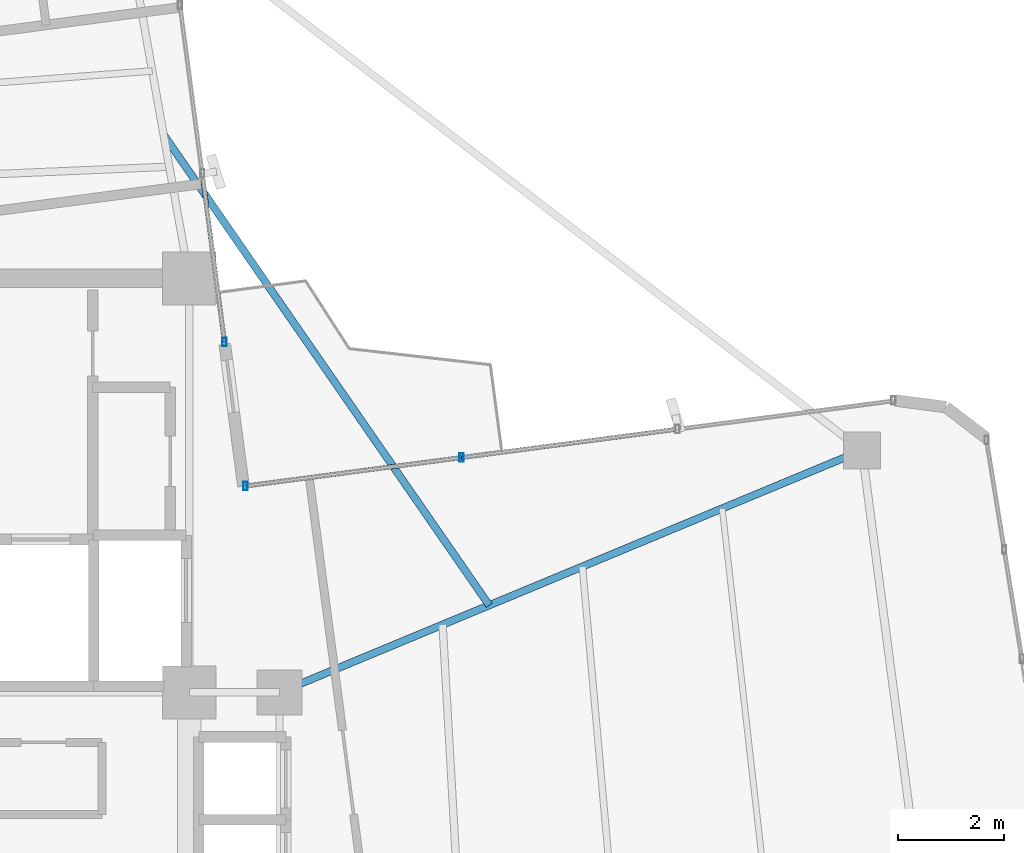
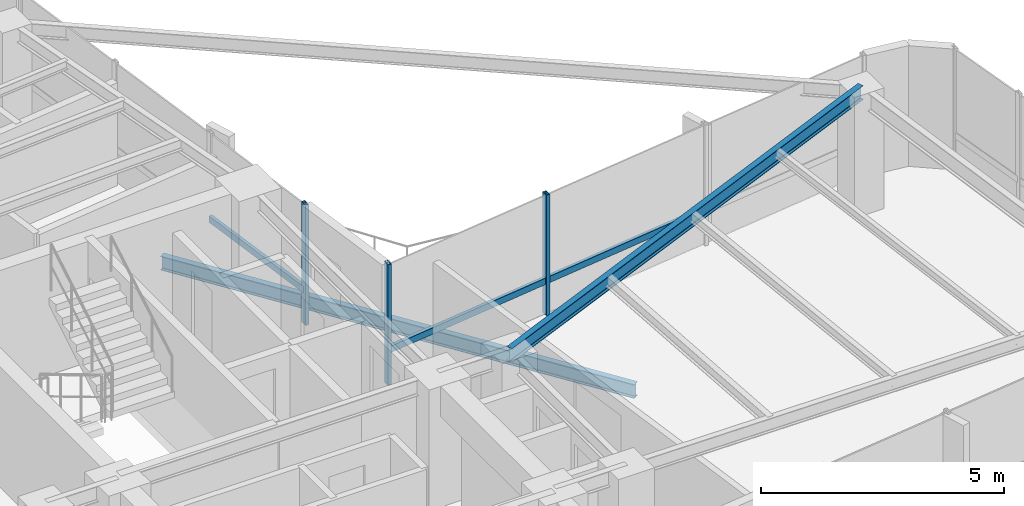
# One storey, part 11 of 22: 6 members, 2 beams, 2 elements without a shape of their own.
"""IFC4 building model written with IfcOpenShell, lengths in metres."""

from ifc_helpers import new_model, si_unit, direction, frame, origin, origin_2d, place, context, subcontext, project, spatial, hollow_rectangle, i_section, extrude, source, transform, mapped, material, material_profile, profile_set, type_object, element, aggregate, save


model = new_model("IFC4")

# Units and contexts
model_context = context("Model", 3, precision=1e-05, world=origin(), true_north=direction((0.0, 1.0)))
body_context = subcontext(model_context, "Body", "Model", "MODEL_VIEW")
ifc_project = project(units=[si_unit("LENGTHUNIT", "METRE"), si_unit("AREAUNIT", "SQUARE_METRE"), si_unit("VOLUMEUNIT", "CUBIC_METRE"), si_unit("PLANEANGLEUNIT", "RADIAN"), si_unit("MASSUNIT", "GRAM", prefix="KILO")], contexts=[model_context])

# Site, building, storey
site_placement = place(None, origin())
site = spatial("IfcSite", under=ifc_project, at=site_placement, CompositionType="ELEMENT")
building_placement = place(site_placement, origin())
building = spatial("IfcBuilding", under=site, at=building_placement, Name="Sahyath Konkavel Grand Hotel", CompositionType="ELEMENT")
storey_placement = place(building_placement, frame((0.0, 0.0, 261.25)))
storey = spatial("IfcBuildingStorey", under=building, at=storey_placement, Name="L73", CompositionType="ELEMENT", Elevation=261.25)

# Beam
ifc_material_1 = material(Name="Steel E350", Category="steel")
ifc_material_profile_1 = material_profile(ifc_material_1, i_section(OverallWidth=0.139892578125, OverallDepth=0.35009765625, WebThickness=0.008056640625, FlangeThickness=0.01416015625, FilletRadius=0.013916015625, at=origin_2d()), Name="ISMB 350")
ifc_profile_set_1 = profile_set([ifc_material_profile_1], Name="Steel E350")
beam_type_1 = type_object("IfcBeamType", Name="BM-ISMB350", PredefinedType="BEAM", material=ifc_profile_set_1)
shared_shape_1 = source(origin(), body_context, "Body", "SweptSolid", [
    extrude(i_section(OverallWidth=0.139892578125, OverallDepth=0.35009765625, WebThickness=0.008056640625, FlangeThickness=0.01416015625, FilletRadius=0.013916015625, at=origin_2d()), origin(), (0.0, 0.0, 1.0), 11.882080078125),
])
beam_1_placement = place(storey_placement, frame((5.5, 2.39990234375, 2.85498046875), z_axis=(0.923435785797, 0.383752979804, 0.0), x_axis=(-0.383752979804, 0.923435785797, 0.0)))
element("IfcBeam", 1, at=beam_1_placement, inside=storey, type_object=beam_type_1, Name="L73 Cruciform Radial Girder EB", PredefinedType="BEAM", context=body_context, shape_type="MappedRepresentation", body=[
    mapped(shared_shape_1, transform((0.0, 0.0, 0.0), scale=1.0)),
])

# Curtain wall, members
ifc_material_2 = material(Name="Anodised Bronze Aluminium & Low-E Glazing", Category="aluminium")
curtain_wall_type = type_object("IfcCurtainWallType", Name="CW-ZONE4", PredefinedType="NOTDEFINED", material=ifc_material_2)
curtain_wall_1_placement = place(storey_placement, origin())
curtain_wall_1 = element("IfcCurtainWall", 2, at=curtain_wall_1_placement, inside=storey, type_object=curtain_wall_type, Name="L73 Unitised Curtain Wall F7", PredefinedType="NOTDEFINED")
ifc_material_3 = material(Name="Anodised Bronze Aluminium", Category="aluminium")
ifc_material_profile_2 = material_profile(ifc_material_3, hollow_rectangle(XDim=0.080078125, YDim=0.159912109375, WallThickness=0.006103515625, at=origin_2d()), Name="RHS 160x80x6")
ifc_profile_set_2 = profile_set([ifc_material_profile_2], Name="Anodised Bronze Aluminium")
member_type_1 = type_object("IfcMemberType", Name="CW-MUL-160", PredefinedType="MULLION", material=ifc_profile_set_2)
shared_shape_2 = source(origin(), body_context, "Body", "SweptSolid", [
    extrude(hollow_rectangle(XDim=0.080078125, YDim=0.159912109375, WallThickness=0.006103515625, at=origin_2d()), origin(), (0.0, 0.0, 1.0), 3.030029296875),
])
member_1_placement = place(storey_placement, frame((8.928955078125, 6.82373046875, 0.0), z_axis=(0.0, 0.0, 1.0), x_axis=(1.0, 0.0, 0.0)))
member_1 = element("IfcMember", 3, at=member_1_placement, type_object=member_type_1, Name="L73 Curtain Wall Mullion F7-2", PredefinedType="MULLION", context=body_context, shape_type="MappedRepresentation", body=[
    mapped(shared_shape_2, transform((0.0, 0.0, 0.0), scale=1.0)),
])
member_2_placement = place(storey_placement, frame((4.86083984375, 6.2880859375, 0.0), z_axis=(0.0, 0.0, 1.0), x_axis=(1.0, 0.0, 0.0)))
member_2 = element("IfcMember", 4, at=member_2_placement, type_object=member_type_1, Name="L73 Curtain Wall Mullion F7-3", PredefinedType="MULLION", context=body_context, shape_type="MappedRepresentation", body=[
    mapped(shared_shape_2, transform((0.0, 0.0, 0.0), scale=1.0)),
])

curtain_wall_2_placement = place(storey_placement, origin())
curtain_wall_2 = element("IfcCurtainWall", 5, at=curtain_wall_2_placement, inside=storey, type_object=curtain_wall_type, Name="L73 Unitised Curtain Wall F8", PredefinedType="NOTDEFINED")
member_3_placement = place(storey_placement, frame((4.46337890625, 8.99951171875, 0.0), z_axis=(0.0, 0.0, 1.0), x_axis=(1.0, 0.0, 0.0)))
member_3 = element("IfcMember", 6, at=member_3_placement, type_object=member_type_1, Name="L73 Curtain Wall Mullion F8-0", PredefinedType="MULLION", context=body_context, shape_type="MappedRepresentation", body=[
    mapped(shared_shape_2, transform((0.0, 0.0, 0.0), scale=1.0)),
])
ifc_material_profile_3 = material_profile(ifc_material_3, hollow_rectangle(XDim=0.080078125, YDim=0.159912109375, WallThickness=0.006103515625, at=origin_2d()), Name="RHS 160x80x6")
ifc_profile_set_3 = profile_set([ifc_material_profile_3], Name="Anodised Bronze Aluminium")
member_type_2 = type_object("IfcMemberType", Name="CW-TRN-160", PredefinedType="USERDEFINED", material=ifc_profile_set_3)
shared_shape_3 = source(origin(), body_context, "Body", "SweptSolid", [
    extrude(hollow_rectangle(XDim=0.080078125, YDim=0.159912109375, WallThickness=0.006103515625, at=origin_2d()), origin(), (0.0, 0.0, 1.0), 3.203369140625),
])
member_4_placement = place(storey_placement, frame((4.46337890625, 8.99951171875, 0.85009765625), z_axis=(-0.130476198668, 0.991451441867, 0.0), x_axis=(-0.991451441867, -0.130476198668, 0.0)))
member_4 = element("IfcMember", 7, at=member_4_placement, type_object=member_type_2, Name="L73 Curtain Wall Transom F8-0-spandrel", ObjectType="TRANSOM", PredefinedType="USERDEFINED", context=body_context, shape_type="MappedRepresentation", body=[
    mapped(shared_shape_3, transform((0.0, 0.0, 0.0), scale=1.0)),
])
aggregate(curtain_wall_2, [member_3, member_4])

# Member
shared_shape_4 = source(origin(), body_context, "Body", "SweptSolid", [
    extrude(hollow_rectangle(XDim=0.080078125, YDim=0.159912109375, WallThickness=0.006103515625, at=origin_2d()), origin(), (0.0, 0.0, 1.0), 4.103271484375),
])
member_5_placement = place(storey_placement, frame((8.928955078125, 6.82373046875, 0.85009765625), z_axis=(-0.991442748161, -0.130542242661, 0.0), x_axis=(0.130542242661, -0.991442748161, 0.0)))
member_5 = element("IfcMember", 8, at=member_5_placement, type_object=member_type_2, Name="L73 Curtain Wall Transom F7-2-spandrel", ObjectType="TRANSOM", PredefinedType="USERDEFINED", context=body_context, shape_type="MappedRepresentation", body=[
    mapped(shared_shape_4, transform((0.0, 0.0, 0.0), scale=1.0)),
])

shared_shape_5 = source(origin(), body_context, "Body", "SweptSolid", [
    extrude(hollow_rectangle(XDim=0.080078125, YDim=0.159912109375, WallThickness=0.006103515625, at=origin_2d()), origin(), (0.0, 0.0, 1.0), 4.103515625),
])
member_6_placement = place(storey_placement, frame((12.997314453125, 7.359619140625, 0.85009765625), z_axis=(-0.991436060505, -0.130593024052, 0.0), x_axis=(0.130593024052, -0.991436060505, 0.0)))
member_6 = element("IfcMember", 9, at=member_6_placement, type_object=member_type_2, Name="L73 Curtain Wall Transom F7-1-spandrel", ObjectType="TRANSOM", PredefinedType="USERDEFINED", context=body_context, shape_type="MappedRepresentation", body=[
    mapped(shared_shape_5, transform((0.0, 0.0, 0.0), scale=1.0)),
])

aggregate(curtain_wall_1, [member_1, member_2, member_6, member_5])

# Beam
ifc_material_profile_4 = material_profile(ifc_material_1, i_section(OverallWidth=0.139892578125, OverallDepth=0.35009765625, WebThickness=0.008056640625, FlangeThickness=0.01416015625, FilletRadius=0.013916015625, at=origin_2d()), Name="ISMB 350")
ifc_profile_set_4 = profile_set([ifc_material_profile_4], Name="Steel E350")
beam_type_2 = type_object("IfcBeamType", Name="BM-BALC-CANT", PredefinedType="BEAM", material=ifc_profile_set_4)
shared_shape_6 = source(origin(), body_context, "Body", "SweptSolid", [
    extrude(i_section(OverallWidth=0.139892578125, OverallDepth=0.35009765625, WebThickness=0.008056640625, FlangeThickness=0.01416015625, FilletRadius=0.013916015625, at=origin_2d()), origin(), (0.0, 0.0, 1.0), 10.778076171875),
])
beam_2_placement = place(storey_placement, frame((9.4501953125, 4.04150390625, -0.4150390625), z_axis=(-0.569013254295, 0.822328350743, 0.0), x_axis=(-0.822328350743, -0.569013254295, 0.0)))
element("IfcBeam", 10, at=beam_2_placement, inside=storey, type_object=beam_type_2, Name="L73 Balcony Cantilever Support Beam NE", PredefinedType="BEAM", context=body_context, shape_type="MappedRepresentation", body=[
    mapped(shared_shape_6, transform((0.0, 0.0, 0.0), scale=1.0)),
])

save(model, "model.ifc")
